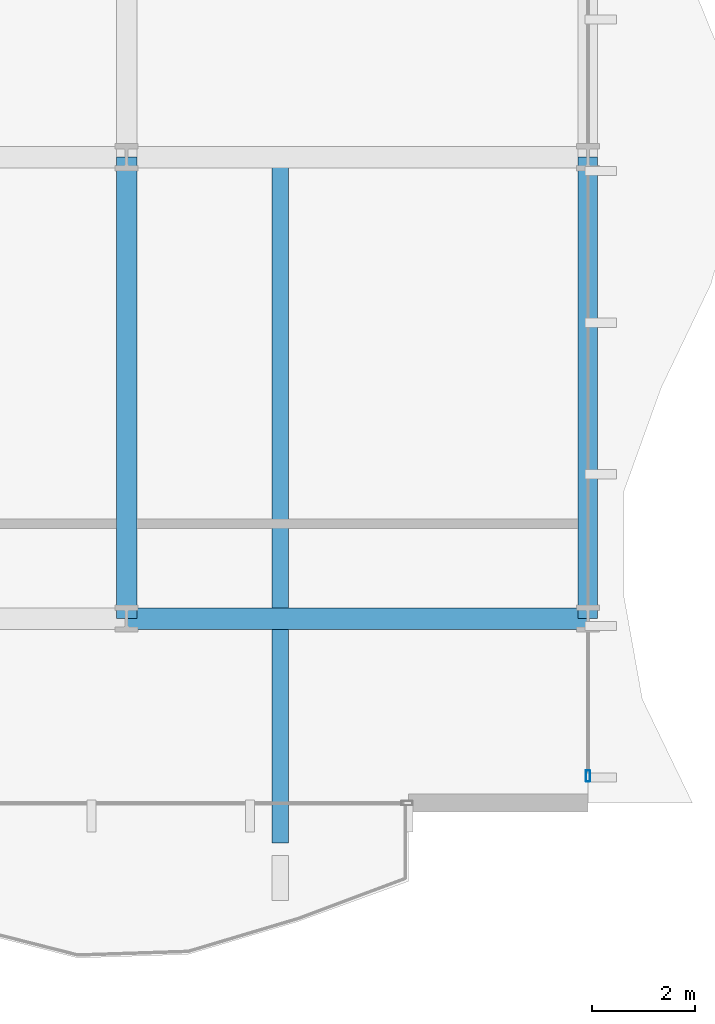
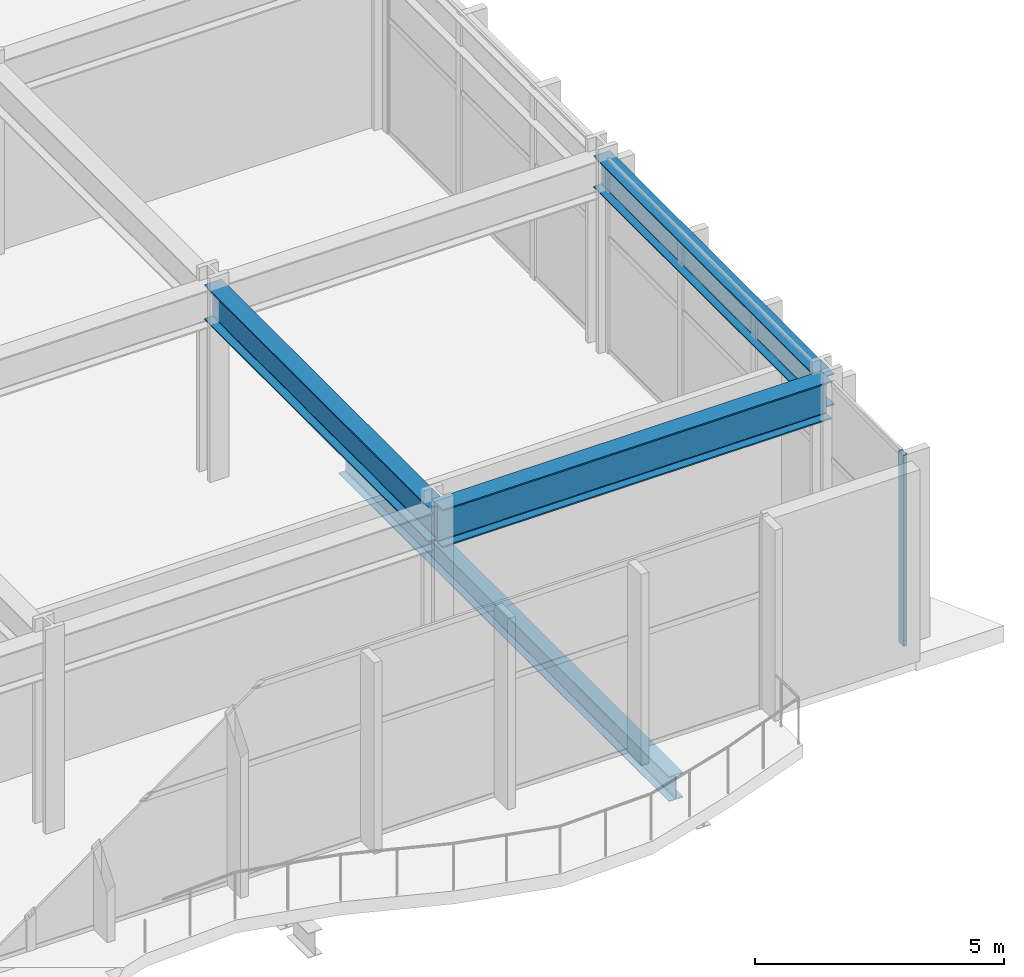
# One storey, part 9 of 28: 4 beams, 1 member, 1 element without a shape of its own.
"""IFC4 building model written with IfcOpenShell, lengths in metres."""

from ifc_helpers import new_model, si_unit, direction, frame, origin, origin_2d, place, context, subcontext, project, spatial, hollow_rectangle, i_section, extrude, material, layer, layer_set, material_profile, profile_set, type_object, element, aggregate, save


model = new_model("IFC4")

# Units and contexts
model_context = context("Model", 3, precision=1e-05, world=origin(), true_north=direction((0.0, 1.0)))
body_context = subcontext(model_context, "Body", "Model", "MODEL_VIEW")
ifc_project = project(units=[si_unit("LENGTHUNIT", "METRE"), si_unit("AREAUNIT", "SQUARE_METRE"), si_unit("VOLUMEUNIT", "CUBIC_METRE"), si_unit("PLANEANGLEUNIT", "RADIAN"), si_unit("MASSUNIT", "GRAM", prefix="KILO")], contexts=[model_context])

# Site, building, storey
site_placement = place(None, origin())
site = spatial("IfcSite", under=ifc_project, at=site_placement, CompositionType="ELEMENT")
building_placement = place(site_placement, origin())
building = spatial("IfcBuilding", under=site, at=building_placement, Name="Solvaryn Broadcast Tower", CompositionType="ELEMENT")
storey_placement = place(building_placement, frame((0.0, 0.0, 16.199951171875)))
storey = spatial("IfcBuildingStorey", under=building, at=storey_placement, Name="L03", CompositionType="ELEMENT", Elevation=16.199951171875)

# Beams
ifc_material_1 = material(Name="Steel ASTM A992 Grade 50", Category="steel")
ifc_material_profile_1 = material_profile(ifc_material_1, i_section(OverallWidth=0.323974609375, OverallDepth=0.611083984375, WebThickness=0.0126953125, FlangeThickness=0.01904296875, FilletRadius=0.014892578125, at=origin_2d()))
ifc_profile_set_1 = profile_set([ifc_material_profile_1], Name="Steel ASTM A992 Grade 50")
beam_type_1 = type_object("IfcBeamType", Name="BM-B1-W24X104", PredefinedType="BEAM", material=ifc_profile_set_1)
beam_1_placement = place(storey_placement, frame((57.0, 17.875, -0.62548828125), z_axis=(0.0, -1.0, 0.0), x_axis=(1.0, 0.0, 0.0)))
element("IfcBeam", 1, at=beam_1_placement, inside=storey, type_object=beam_type_1, Name="L03 Terrace Back-Span Beam X57.0", PredefinedType="BEAM", context=body_context, shape_type="SweptSolid", body=[
    extrude(i_section(OverallWidth=0.323974609375, OverallDepth=0.611083984375, WebThickness=0.0126953125, FlangeThickness=0.01904296875, FilletRadius=0.014892578125, at=origin_2d()), origin(), (0.0, 0.0, 1.0), 13.25),
])
ifc_material_2 = material(Name="Steel ASTM A992 Grade 50", Category="steel")
ifc_material_profile_2 = material_profile(ifc_material_2, i_section(OverallWidth=0.41796875, OverallDepth=0.927001953125, WebThickness=0.019287109375, FlangeThickness=0.031982421875, FilletRadius=0.02392578125, at=origin_2d()))
ifc_profile_set_2 = profile_set([ifc_material_profile_2], Name="Steel ASTM A992 Grade 50")
beam_type_2 = type_object("IfcBeamType", Name="BM-G2-W36X231", PredefinedType="BEAM", material=ifc_profile_set_2)
beam_2_placement = place(storey_placement, frame((54.0, 9.0, 4.216552734375), z_axis=(1.0, 0.0, 0.0), x_axis=(0.0, 1.0, 0.0)))
element("IfcBeam", 2, at=beam_2_placement, inside=storey, type_object=beam_type_2, Name="L03 Primary Beam X (54-63 @ Y=9)", PredefinedType="BEAM", context=body_context, shape_type="SweptSolid", body=[
    extrude(i_section(OverallWidth=0.41796875, OverallDepth=0.927001953125, WebThickness=0.019287109375, FlangeThickness=0.031982421875, FilletRadius=0.02392578125, at=origin_2d()), origin(), (0.0, 0.0, 1.0), 9.0),
])
ifc_material_3 = material(Name="Steel ASTM A992 Grade 50", Category="steel")
ifc_material_profile_3 = material_profile(ifc_material_3, i_section(OverallWidth=0.39990234375, OverallDepth=0.85498046875, WebThickness=0.018310546875, FlangeThickness=0.029296875, FilletRadius=0.02001953125, at=origin_2d()))
ifc_profile_set_3 = profile_set([ifc_material_profile_3], Name="Steel ASTM A992 Grade 50")
beam_type_3 = type_object("IfcBeamType", Name="BM-G3-W33X201", PredefinedType="BEAM", material=ifc_profile_set_3)
beam_3_placement = place(storey_placement, frame((54.0, 9.0, 4.25244140625), z_axis=(0.0, 1.0, 0.0), x_axis=(-1.0, 0.0, 0.0)))
element("IfcBeam", 3, at=beam_3_placement, inside=storey, type_object=beam_type_3, Name="L03 Primary Beam Y (9-18 @ X=54)", PredefinedType="BEAM", context=body_context, shape_type="SweptSolid", body=[
    extrude(i_section(OverallWidth=0.39990234375, OverallDepth=0.85498046875, WebThickness=0.018310546875, FlangeThickness=0.029296875, FilletRadius=0.02001953125, at=origin_2d()), origin(), (0.0, 0.0, 1.0), 9.0),
])
ifc_material_4 = material(Name="Steel ASTM A992 Grade 50", Category="steel")
ifc_material_profile_4 = material_profile(ifc_material_4, i_section(OverallWidth=0.381103515625, OverallDepth=0.77294921875, WebThickness=0.0166015625, FlangeThickness=0.027099609375, FilletRadius=0.01806640625, at=origin_2d()))
ifc_profile_set_4 = profile_set([ifc_material_profile_4], Name="Steel ASTM A992 Grade 50")
beam_type_4 = type_object("IfcBeamType", Name="BM-SP1-W30X173", PredefinedType="USERDEFINED", material=ifc_profile_set_4)
beam_4_placement = place(storey_placement, frame((63.0, 9.0, 4.29345703125), z_axis=(0.0, 1.0, 0.0), x_axis=(-1.0, 0.0, 0.0)))
element("IfcBeam", 4, at=beam_4_placement, inside=storey, type_object=beam_type_4, Name="L03 Spandrel Beam Y (9-18 @ X=63)", ObjectType="SPANDREL", PredefinedType="USERDEFINED", context=body_context, shape_type="SweptSolid", body=[
    extrude(i_section(OverallWidth=0.381103515625, OverallDepth=0.77294921875, WebThickness=0.0166015625, FlangeThickness=0.027099609375, FilletRadius=0.01806640625, at=origin_2d()), origin(), (0.0, 0.0, 1.0), 9.0),
])

# Curtain wall, member
ifc_material_5 = material(Name="Aluminium and Terracotta Unitised Curtain Wall", Category="masonry")
ifc_layer = layer(ifc_material_5, 0.219970703125)
ifc_layer_set = layer_set([ifc_layer], Name="CW-SYS1-PODIUM")
curtain_wall_type = type_object("IfcCurtainWallType", Name="CW-SYS1-PODIUM", PredefinedType="NOTDEFINED", material=ifc_layer_set)
curtain_wall_placement = place(storey_placement, origin())
curtain_wall = element("IfcCurtainWall", 5, at=curtain_wall_placement, inside=storey, type_object=curtain_wall_type, Name="L03 Podium Curtain Wall E2", PredefinedType="NOTDEFINED")
ifc_material_6 = material(Name="Anodised Aluminium 6063-T6", Category="aluminium")
ifc_material_profile_5 = material_profile(ifc_material_6, hollow_rectangle(XDim=0.0849609375, YDim=0.219970703125, WallThickness=0.0048828125, InnerFilletRadius=0.0048828125, OuterFilletRadius=0.010009765625, at=origin_2d()))
ifc_profile_set_5 = profile_set([ifc_material_profile_5], Name="Anodised Aluminium 6063-T6")
member_type = type_object("IfcMemberType", Name="CW-MUL-220", PredefinedType="MULLION", material=ifc_profile_set_5)
member_placement = place(storey_placement, frame((63.0, 5.929931640625, 0.0), z_axis=(0.0, 0.0, 1.0), x_axis=(1.0, 0.0, 0.0)))
member = element("IfcMember", 6, at=member_placement, type_object=member_type, Name="CWS1 mullion 2", PredefinedType="MULLION", context=body_context, shape_type="SweptSolid", body=[
    extrude(hollow_rectangle(XDim=0.0849609375, YDim=0.219970703125, WallThickness=0.0048828125, InnerFilletRadius=0.0048828125, OuterFilletRadius=0.010009765625, at=origin_2d()), origin(), (0.0, 0.0, 1.0), 4.679931640625),
])
aggregate(curtain_wall, [member])

save(model, "model.ifc")
